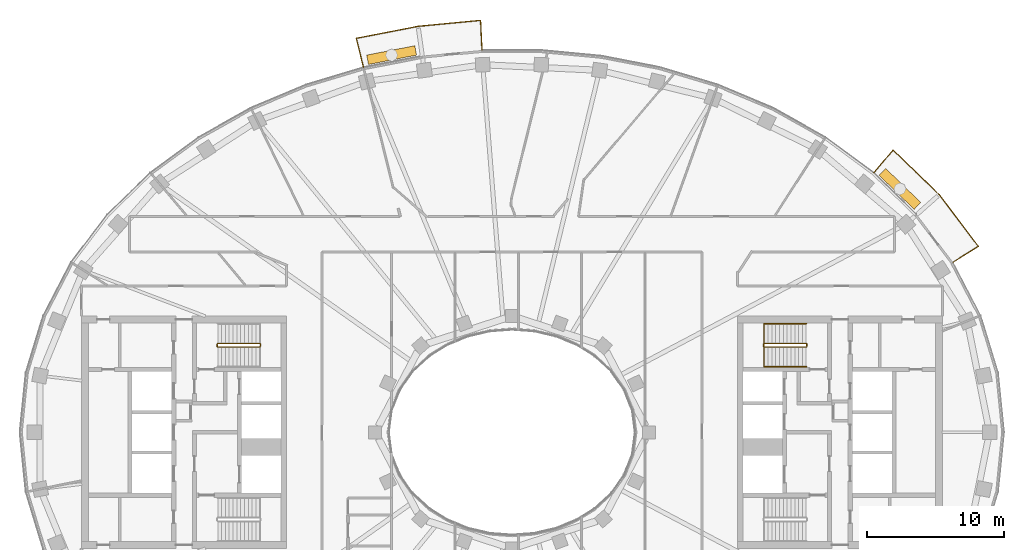
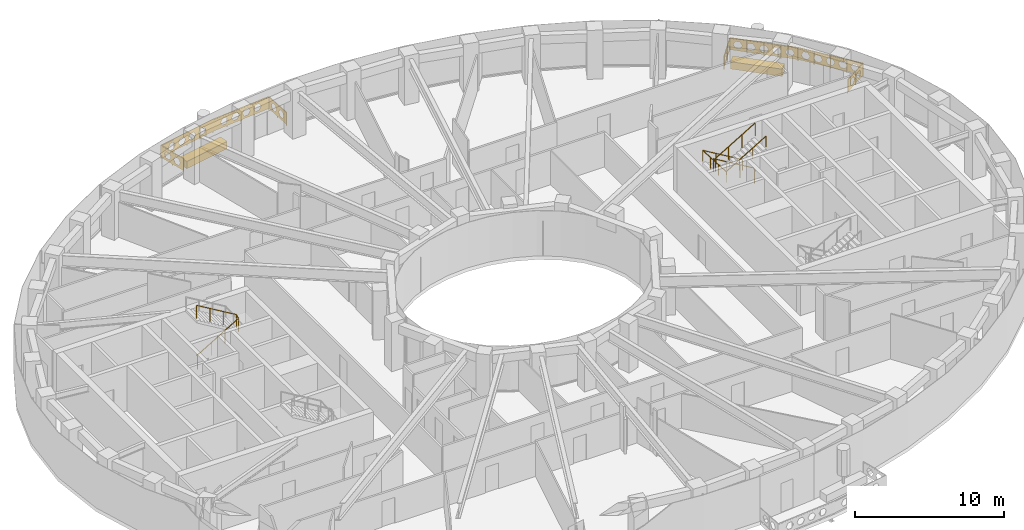
# One storey, part 16 of 17: 5 railings, 2 coverings.
"""IFC4 building model written with IfcOpenShell, lengths in metres."""

from ifc_helpers import new_model, si_unit, direction, frame, origin, origin_2d, place, context, subcontext, project, spatial, polyline, rectangle, outline, extrude, material, type_object, element, save


model = new_model("IFC4")

# Units and contexts
model_context = context("Model", 3, precision=1e-05, world=origin(), true_north=direction((0.0, 1.0)))
body_context = subcontext(model_context, "Body", "Model", "MODEL_VIEW")
ifc_project = project(units=[si_unit("LENGTHUNIT", "METRE"), si_unit("AREAUNIT", "SQUARE_METRE"), si_unit("VOLUMEUNIT", "CUBIC_METRE"), si_unit("PLANEANGLEUNIT", "RADIAN"), si_unit("MASSUNIT", "GRAM", prefix="KILO")], contexts=[model_context])

# Site, building, storey
site_placement = place(None, origin())
site = spatial("IfcSite", under=ifc_project, at=site_placement, CompositionType="ELEMENT")
building_placement = place(site_placement, origin())
building = spatial("IfcBuilding", under=site, at=building_placement, Name="Noorbagh Ring Tower", CompositionType="ELEMENT")
storey_placement = place(building_placement, frame((0.0, 0.0, 269.5)))
storey = spatial("IfcBuildingStorey", under=building, at=storey_placement, Name="L57", CompositionType="ELEMENT", Elevation=269.5)

# Railings
ifc_material_1 = material(Name="Stainless steel", Category="steel")
railing_type_1 = type_object("IfcRailingType", Name="CORE-STAIR-GUARD", PredefinedType="GUARDRAIL", material=ifc_material_1)
railing_1_placement = place(storey_placement, frame((-21.580078125, 6.300048828125, 0.0)))
element("IfcRailing", 1, at=railing_1_placement, inside=storey, type_object=railing_type_1, Name="L57 ST1 stair guard", PredefinedType="GUARDRAIL", context=body_context, shape_type="SweptSolid", body=[
    extrude(rectangle(XDim=0.048095703125, YDim=0.048095703125, at=origin_2d()), frame((0.0, 0.0, 1.076171875), z_axis=(0.0, 1.0, 0.0), x_axis=(-1.0, 0.0, 0.0)), (0.0, 0.0, 1.0), 0.14990234375),
    extrude(rectangle(XDim=0.048095703125, YDim=0.048095703125, at=origin_2d()), frame((0.0, 0.14990234375, 1.076171875), z_axis=(0.188775798145, -0.754182335027, 0.628945707965), x_axis=(0.970072785993, 0.242814311512, 0.0)), (0.0, 0.0, 1.0), 0.26513671875),
    extrude(rectangle(XDim=0.048095703125, YDim=0.048095703125, at=origin_2d()), frame((0.050048828125, -0.050048828125, 1.24267578125), z_axis=(0.859308565015, 0.0, 0.511457515432), x_axis=(0.0, 1.0, 0.0)), (0.0, 0.0, 1.0), 3.58447265625),
    extrude(rectangle(XDim=0.048095703125, YDim=0.048095703125, at=origin_2d()), frame((3.130126953125, -0.050048828125, 3.076171875), z_axis=(0.707106781187, 0.707106781187, 0.0), x_axis=(-0.707106781187, 0.707106781187, 0.0)), (0.0, 0.0, 1.0), 0.07080078125),
    extrude(rectangle(XDim=0.048095703125, YDim=0.048095703125, at=origin_2d()), frame((3.18017578125, 0.0, 3.076171875), z_axis=(0.0, 1.0, 0.0), x_axis=(-1.0, 0.0, 0.0)), (0.0, 0.0, 1.0), 0.14990234375),
    extrude(rectangle(XDim=0.048095703125, YDim=0.048095703125, at=origin_2d()), frame((3.18017578125, 0.14990234375, 3.076171875), z_axis=(-0.27628659633, 0.27628659633, 0.920506074601), x_axis=(-0.707106781187, -0.707106781187, 0.0)), (0.0, 0.0, 1.0), 0.18115234375),
    extrude(rectangle(XDim=0.048095703125, YDim=0.048095703125, at=origin_2d()), frame((3.130126953125, 0.199951171875, 3.24267578125), z_axis=(-0.859308565015, 0.0, 0.511457515432), x_axis=(0.0, -1.0, 0.0)), (0.0, 0.0, 1.0), 3.58447265625),
    extrude(rectangle(XDim=0.0419921875, YDim=0.0419921875, at=origin_2d()), origin(), (0.0, 0.0, 1.0), 1.052001953125),
    extrude(rectangle(XDim=0.0419921875, YDim=0.0419921875, at=origin_2d()), frame((1.07666015625, -0.050048828125, 0.77783203125)), (0.0, 0.0, 1.0), 1.052001953125),
    extrude(rectangle(XDim=0.0419921875, YDim=0.0419921875, at=origin_2d()), frame((2.103515625, -0.050048828125, 1.388916015625)), (0.0, 0.0, 1.0), 1.052001953125),
    extrude(rectangle(XDim=0.0419921875, YDim=0.0419921875, at=origin_2d()), frame((3.130126953125, -0.050048828125, 2.0)), (0.0, 0.0, 1.0), 1.052001953125),
    extrude(rectangle(XDim=0.0419921875, YDim=0.0419921875, at=origin_2d()), frame((3.130126953125, 0.199951171875, 2.166748046875)), (0.0, 0.0, 1.0), 1.052001953125),
    extrude(rectangle(XDim=0.0419921875, YDim=0.0419921875, at=origin_2d()), frame((2.103515625, 0.199951171875, 2.77783203125)), (0.0, 0.0, 1.0), 1.052001953125),
    extrude(rectangle(XDim=0.0419921875, YDim=0.0419921875, at=origin_2d()), frame((1.07666015625, 0.199951171875, 3.388916015625)), (0.0, 0.0, 1.0), 1.052001953125),
    extrude(rectangle(XDim=0.0419921875, YDim=0.0419921875, at=origin_2d()), frame((0.050048828125, 0.199951171875, 4.0)), (0.0, 0.0, 1.0), 1.052001953125),
])
railing_2_placement = place(storey_placement, frame((21.580078125, 6.449951171875, 0.0)))
element("IfcRailing", 2, at=railing_2_placement, inside=storey, type_object=railing_type_1, Name="L57 ST3 stair guard", PredefinedType="GUARDRAIL", context=body_context, shape_type="SweptSolid", body=[
    extrude(rectangle(XDim=0.048095703125, YDim=0.048095703125, at=origin_2d()), frame((0.0, 0.0, 1.076171875), z_axis=(0.0, -1.0, 0.0), x_axis=(1.0, 0.0, 0.0)), (0.0, 0.0, 1.0), 0.14990234375),
    extrude(rectangle(XDim=0.048095703125, YDim=0.048095703125, at=origin_2d()), frame((0.0, -0.14990234375, 1.076171875), z_axis=(-0.188775798145, 0.754182335027, 0.628945707965), x_axis=(-0.970072785993, -0.242814311512, 0.0)), (0.0, 0.0, 1.0), 0.26513671875),
    extrude(rectangle(XDim=0.048095703125, YDim=0.048095703125, at=origin_2d()), frame((-0.050048828125, 0.050048828125, 1.24267578125), z_axis=(-0.859308565015, 0.0, 0.511457515432), x_axis=(0.0, -1.0, 0.0)), (0.0, 0.0, 1.0), 3.58447265625),
    extrude(rectangle(XDim=0.048095703125, YDim=0.048095703125, at=origin_2d()), frame((-3.130126953125, 0.050048828125, 3.076171875), z_axis=(-0.707106781187, -0.707106781187, 0.0), x_axis=(0.707106781187, -0.707106781187, 0.0)), (0.0, 0.0, 1.0), 0.07080078125),
    extrude(rectangle(XDim=0.048095703125, YDim=0.048095703125, at=origin_2d()), frame((-3.18017578125, 0.0, 3.076171875), z_axis=(0.0, -1.0, 0.0), x_axis=(1.0, 0.0, 0.0)), (0.0, 0.0, 1.0), 0.14990234375),
    extrude(rectangle(XDim=0.048095703125, YDim=0.048095703125, at=origin_2d()), frame((-3.18017578125, -0.14990234375, 3.076171875), z_axis=(0.27628659633, -0.27628659633, 0.920506074601), x_axis=(0.707106781187, 0.707106781187, 0.0)), (0.0, 0.0, 1.0), 0.18115234375),
    extrude(rectangle(XDim=0.048095703125, YDim=0.048095703125, at=origin_2d()), frame((-3.130126953125, -0.199951171875, 3.24267578125), z_axis=(0.859308565015, 0.0, 0.511457515432), x_axis=(0.0, 1.0, 0.0)), (0.0, 0.0, 1.0), 3.58447265625),
    extrude(rectangle(XDim=0.0419921875, YDim=0.0419921875, at=origin_2d()), origin(), (0.0, 0.0, 1.0), 1.052001953125),
    extrude(rectangle(XDim=0.0419921875, YDim=0.0419921875, at=origin_2d()), frame((-1.07666015625, 0.050048828125, 0.77783203125)), (0.0, 0.0, 1.0), 1.052001953125),
    extrude(rectangle(XDim=0.0419921875, YDim=0.0419921875, at=origin_2d()), frame((-2.103515625, 0.050048828125, 1.388916015625)), (0.0, 0.0, 1.0), 1.052001953125),
    extrude(rectangle(XDim=0.0419921875, YDim=0.0419921875, at=origin_2d()), frame((-3.130126953125, 0.050048828125, 2.0)), (0.0, 0.0, 1.0), 1.052001953125),
    extrude(rectangle(XDim=0.0419921875, YDim=0.0419921875, at=origin_2d()), frame((-3.130126953125, -0.199951171875, 2.166748046875)), (0.0, 0.0, 1.0), 1.052001953125),
    extrude(rectangle(XDim=0.0419921875, YDim=0.0419921875, at=origin_2d()), frame((-2.103515625, -0.199951171875, 2.77783203125)), (0.0, 0.0, 1.0), 1.052001953125),
    extrude(rectangle(XDim=0.0419921875, YDim=0.0419921875, at=origin_2d()), frame((-1.07666015625, -0.199951171875, 3.388916015625)), (0.0, 0.0, 1.0), 1.052001953125),
    extrude(rectangle(XDim=0.0419921875, YDim=0.0419921875, at=origin_2d()), frame((-0.050048828125, -0.199951171875, 4.0)), (0.0, 0.0, 1.0), 1.052001953125),
])
ifc_material_2 = material(Name="Stainless steel", Category="steel")
railing_type_2 = type_object("IfcRailingType", Name="CORE-STAIR-HANDRAIL", PredefinedType="HANDRAIL", material=ifc_material_2)
railing_3_placement = place(storey_placement, frame((21.530029296875, 7.949951171875, 0.166748046875)))
element("IfcRailing", 3, at=railing_3_placement, inside=storey, type_object=railing_type_2, Name="L57 ST3 stair handrail", PredefinedType="HANDRAIL", context=body_context, shape_type="SweptSolid", body=[
    extrude(rectangle(XDim=0.048095703125, YDim=0.048095703125, at=origin_2d()), frame((0.0, 0.0, 0.8759765625), z_axis=(-0.859308565015, 0.0, 0.511457515432), x_axis=(0.0, -1.0, 0.0)), (0.0, 0.0, 1.0), 3.58447265625),
    extrude(rectangle(XDim=0.048095703125, YDim=0.048095703125, at=origin_2d()), frame((-3.080078125, 0.0, 2.708984375), z_axis=(0.0, -0.998601747152, 0.052863509014), x_axis=(1.0, 0.0, 0.0)), (0.0, 0.0, 1.0), 3.154296875),
    extrude(rectangle(XDim=0.048095703125, YDim=0.048095703125, at=origin_2d()), frame((-3.080078125, -3.14990234375, 2.8759765625), z_axis=(0.859308565015, 0.0, 0.511457515432), x_axis=(0.0, 1.0, 0.0)), (0.0, 0.0, 1.0), 3.58447265625),
    extrude(rectangle(XDim=0.0419921875, YDim=0.0419921875, at=origin_2d()), origin(), (0.0, 0.0, 1.0), 0.851806640625),
    extrude(rectangle(XDim=0.0419921875, YDim=0.0419921875, at=origin_2d()), frame((-1.026611328125, 0.0, 0.611083984375)), (0.0, 0.0, 1.0), 0.851806640625),
    extrude(rectangle(XDim=0.0419921875, YDim=0.0419921875, at=origin_2d()), frame((-2.053466796875, 0.0, 1.22216796875)), (0.0, 0.0, 1.0), 0.851806640625),
    extrude(rectangle(XDim=0.0419921875, YDim=0.0419921875, at=origin_2d()), frame((-3.080078125, 0.0, 1.833251953125)), (0.0, 0.0, 1.0), 0.851806640625),
    extrude(rectangle(XDim=0.0419921875, YDim=0.0419921875, at=origin_2d()), frame((-3.080078125, -1.050048828125, 1.888916015625)), (0.0, 0.0, 1.0), 0.851806640625),
    extrude(rectangle(XDim=0.0419921875, YDim=0.0419921875, at=origin_2d()), frame((-3.080078125, -2.099853515625, 1.9443359375)), (0.0, 0.0, 1.0), 0.851806640625),
    extrude(rectangle(XDim=0.0419921875, YDim=0.0419921875, at=origin_2d()), frame((-3.080078125, -3.14990234375, 2.0)), (0.0, 0.0, 1.0), 0.851806640625),
    extrude(rectangle(XDim=0.0419921875, YDim=0.0419921875, at=origin_2d()), frame((-2.053466796875, -3.14990234375, 2.611083984375)), (0.0, 0.0, 1.0), 0.851806640625),
    extrude(rectangle(XDim=0.0419921875, YDim=0.0419921875, at=origin_2d()), frame((-1.026611328125, -3.14990234375, 3.22216796875)), (0.0, 0.0, 1.0), 0.851806640625),
    extrude(rectangle(XDim=0.0419921875, YDim=0.0419921875, at=origin_2d()), frame((0.0, -3.14990234375, 3.833251953125)), (0.0, 0.0, 1.0), 0.851806640625),
])
ifc_material_3 = material(Name="Steel S275 black powder-coated", Category="steel")
railing_type_3 = type_object("IfcRailingType", Name="ENV-GUARD", PredefinedType="GUARDRAIL", material=ifc_material_3)
railing_4_placement = place(storey_placement, frame((32.255126953125, 12.434814453125, 0.0)))
element("IfcRailing", 4, at=railing_4_placement, inside=storey, type_object=railing_type_3, Name="Balcony guard BN01", PredefinedType="GUARDRAIL", context=body_context, shape_type="SweptSolid", body=[
    extrude(rectangle(XDim=0.048095703125, YDim=0.048095703125, at=origin_2d()), frame((0.0, 0.0, 1.076171875), z_axis=(0.844852397829, 0.534999463442, 0.0), x_axis=(-0.534999463442, 0.844852397829, 0.0)), (0.0, 0.0, 1.0), 2.207763671875),
    extrude(rectangle(XDim=0.048095703125, YDim=0.048095703125, at=origin_2d()), frame((1.865234375, 1.18115234375, 1.076171875), z_axis=(-0.604001613322, 0.796983093362, 0.0), x_axis=(-0.796983093362, -0.604001613322, 0.0)), (0.0, 0.0, 1.0), 4.7353515625),
    extrude(rectangle(XDim=0.048095703125, YDim=0.048095703125, at=origin_2d()), frame((-0.994873046875, 4.955078125, 1.076171875), z_axis=(-0.717212632946, 0.696854388766, 0.0), x_axis=(-0.696854388766, -0.717212632946, 0.0)), (0.0, 0.0, 1.0), 4.700927734375),
    extrude(rectangle(XDim=0.048095703125, YDim=0.048095703125, at=origin_2d()), frame((-4.366455078125, 8.23095703125, 1.076171875), z_axis=(-0.646413574048, -0.762987215677, 0.0), x_axis=(0.762987215677, -0.646413574048, 0.0)), (0.0, 0.0, 1.0), 2.205322265625),
    extrude(rectangle(XDim=0.0419921875, YDim=0.0419921875, at=origin_2d()), origin(), (0.0, 0.0, 1.0), 1.052001953125),
    extrude(rectangle(XDim=0.0419921875, YDim=0.0419921875, at=origin_2d()), frame((0.9326171875, 0.590576171875, 0.0)), (0.0, 0.0, 1.0), 1.052001953125),
    extrude(rectangle(XDim=0.0419921875, YDim=0.0419921875, at=origin_2d()), frame((1.865234375, 1.18115234375, 0.0)), (0.0, 0.0, 1.0), 1.052001953125),
    extrude(rectangle(XDim=0.0419921875, YDim=0.0419921875, at=origin_2d()), frame((1.150146484375, 2.12451171875, 0.0)), (0.0, 0.0, 1.0), 1.052001953125),
    extrude(rectangle(XDim=0.0419921875, YDim=0.0419921875, at=origin_2d()), frame((0.43505859375, 3.068115234375, 0.0)), (0.0, 0.0, 1.0), 1.052001953125),
    extrude(rectangle(XDim=0.0419921875, YDim=0.0419921875, at=origin_2d()), frame((-0.27978515625, 4.01171875, 0.0)), (0.0, 0.0, 1.0), 1.052001953125),
    extrude(rectangle(XDim=0.0419921875, YDim=0.0419921875, at=origin_2d()), frame((-0.994873046875, 4.955078125, 0.0)), (0.0, 0.0, 1.0), 1.052001953125),
    extrude(rectangle(XDim=0.0419921875, YDim=0.0419921875, at=origin_2d()), frame((-1.837890625, 5.77392578125, 0.0)), (0.0, 0.0, 1.0), 1.052001953125),
    extrude(rectangle(XDim=0.0419921875, YDim=0.0419921875, at=origin_2d()), frame((-2.6806640625, 6.593017578125, 0.0)), (0.0, 0.0, 1.0), 1.052001953125),
    extrude(rectangle(XDim=0.0419921875, YDim=0.0419921875, at=origin_2d()), frame((-3.5234375, 7.412109375, 0.0)), (0.0, 0.0, 1.0), 1.052001953125),
    extrude(rectangle(XDim=0.0419921875, YDim=0.0419921875, at=origin_2d()), frame((-4.366455078125, 8.23095703125, 0.0)), (0.0, 0.0, 1.0), 1.052001953125),
    extrude(rectangle(XDim=0.0419921875, YDim=0.0419921875, at=origin_2d()), frame((-5.0791015625, 7.3896484375, 0.0)), (0.0, 0.0, 1.0), 1.052001953125),
    extrude(rectangle(XDim=0.0419921875, YDim=0.0419921875, at=origin_2d()), frame((-5.7919921875, 6.54833984375, 0.0)), (0.0, 0.0, 1.0), 1.052001953125),
    extrude(outline(polyline([(0.0, 0.10009765625), (2.207763671875, 0.10009765625), (2.207763671875, 1.031982421875), (0.0, 1.031982421875), (0.0, 0.10009765625)]), holes=[polyline([(0.9638671875, 0.56591796875), (0.808837890625, 0.83447265625), (0.498779296875, 0.83447265625), (0.343994140625, 0.56591796875), (0.498779296875, 0.297607421875), (0.808837890625, 0.297607421875), (0.9638671875, 0.56591796875)]), polyline([(1.86376953125, 0.56591796875), (1.708984375, 0.83447265625), (1.39892578125, 0.83447265625), (1.243896484375, 0.56591796875), (1.39892578125, 0.297607421875), (1.708984375, 0.297607421875), (1.86376953125, 0.56591796875)])]), frame((-0.00537109375, 0.008544921875, 0.0), z_axis=(0.534999463442, -0.844852397829, 0.0), x_axis=(0.844852397829, 0.534999463442, 0.0)), (0.0, 0.0, 1.0), 0.02001953125),
    extrude(outline(polyline([(0.0, 0.10009765625), (4.7353515625, 0.10009765625), (4.7353515625, 1.031982421875), (0.0, 1.031982421875), (0.0, 0.10009765625)]), holes=[polyline([(0.877685546875, 0.56591796875), (0.72265625, 0.83447265625), (0.41259765625, 0.83447265625), (0.257568359375, 0.56591796875), (0.41259765625, 0.297607421875), (0.72265625, 0.297607421875), (0.877685546875, 0.56591796875)]), polyline([(1.777587890625, 0.56591796875), (1.62255859375, 0.83447265625), (1.312744140625, 0.83447265625), (1.15771484375, 0.56591796875), (1.312744140625, 0.297607421875), (1.62255859375, 0.297607421875), (1.777587890625, 0.56591796875)]), polyline([(2.677734375, 0.56591796875), (2.522705078125, 0.83447265625), (2.212646484375, 0.83447265625), (2.0576171875, 0.56591796875), (2.212646484375, 0.297607421875), (2.522705078125, 0.297607421875), (2.677734375, 0.56591796875)]), polyline([(3.57763671875, 0.56591796875), (3.422607421875, 0.83447265625), (3.112548828125, 0.83447265625), (2.95751953125, 0.56591796875), (3.112548828125, 0.297607421875), (3.422607421875, 0.297607421875), (3.57763671875, 0.56591796875)]), polyline([(4.4775390625, 0.56591796875), (4.32275390625, 0.83447265625), (4.0126953125, 0.83447265625), (3.857666015625, 0.56591796875), (4.0126953125, 0.297607421875), (4.32275390625, 0.297607421875), (4.4775390625, 0.56591796875)])]), frame((1.857177734375, 1.175048828125, 0.0), z_axis=(0.796983093362, 0.604001613322, 0.0), x_axis=(-0.604001613322, 0.796983093362, 0.0)), (0.0, 0.0, 1.0), 0.02001953125),
    extrude(outline(polyline([(0.0, 0.10009765625), (4.700927734375, 0.10009765625), (4.700927734375, 1.031982421875), (0.0, 1.031982421875), (0.0, 0.10009765625)]), holes=[polyline([(0.860595703125, 0.56591796875), (0.70556640625, 0.83447265625), (0.3955078125, 0.83447265625), (0.240478515625, 0.56591796875), (0.3955078125, 0.297607421875), (0.70556640625, 0.297607421875), (0.860595703125, 0.56591796875)]), polyline([(1.760498046875, 0.56591796875), (1.60546875, 0.83447265625), (1.29541015625, 0.83447265625), (1.140380859375, 0.56591796875), (1.29541015625, 0.297607421875), (1.60546875, 0.297607421875), (1.760498046875, 0.56591796875)]), polyline([(2.660400390625, 0.56591796875), (2.50537109375, 0.83447265625), (2.195556640625, 0.83447265625), (2.04052734375, 0.56591796875), (2.195556640625, 0.297607421875), (2.50537109375, 0.297607421875), (2.660400390625, 0.56591796875)]), polyline([(3.560546875, 0.56591796875), (3.405517578125, 0.83447265625), (3.095458984375, 0.83447265625), (2.9404296875, 0.56591796875), (3.095458984375, 0.297607421875), (3.405517578125, 0.297607421875), (3.560546875, 0.56591796875)]), polyline([(4.46044921875, 0.56591796875), (4.305419921875, 0.83447265625), (3.995361328125, 0.83447265625), (3.840576171875, 0.56591796875), (3.995361328125, 0.297607421875), (4.305419921875, 0.297607421875), (4.46044921875, 0.56591796875)])]), frame((-1.001953125, 4.947998046875, 0.0), z_axis=(0.696854388766, 0.717212632946, 0.0), x_axis=(-0.717212632946, 0.696854388766, 0.0)), (0.0, 0.0, 1.0), 0.02001953125),
    extrude(outline(polyline([(0.0, 0.10009765625), (2.205322265625, 0.10009765625), (2.205322265625, 1.031982421875), (0.0, 1.031982421875), (0.0, 0.10009765625)]), holes=[polyline([(0.962646484375, 0.56591796875), (0.8076171875, 0.83447265625), (0.49755859375, 0.83447265625), (0.342529296875, 0.56591796875), (0.49755859375, 0.297607421875), (0.8076171875, 0.297607421875), (0.962646484375, 0.56591796875)]), polyline([(1.862548828125, 0.56591796875), (1.707763671875, 0.83447265625), (1.397705078125, 0.83447265625), (1.24267578125, 0.56591796875), (1.397705078125, 0.297607421875), (1.707763671875, 0.297607421875), (1.862548828125, 0.56591796875)])]), frame((-4.35888671875, 8.224609375, 0.0), z_axis=(-0.762987215677, 0.646413574048, 0.0), x_axis=(-0.646413574048, -0.762987215677, 0.0)), (0.0, 0.0, 1.0), 0.02001953125),
])
railing_5_placement = place(storey_placement, frame((-2.193115234375, 27.947998046875, 0.0)))
element("IfcRailing", 5, at=railing_5_placement, inside=storey, type_object=railing_type_3, Name="Balcony guard BN04", PredefinedType="GUARDRAIL", context=body_context, shape_type="SweptSolid", body=[
    extrude(rectangle(XDim=0.048095703125, YDim=0.048095703125, at=origin_2d()), frame((0.0, 0.0, 1.076171875), z_axis=(-0.047554616162, 0.998868639252, 0.0), x_axis=(-0.998868639252, -0.047554616162, 0.0)), (0.0, 0.0, 1.0), 2.202392578125),
    extrude(rectangle(XDim=0.048095703125, YDim=0.048095703125, at=origin_2d()), frame((-0.104736328125, 2.199951171875, 1.076171875), z_axis=(-0.995477555764, -0.094997031379, 0.0), x_axis=(0.094997031379, -0.995477555764, 0.0)), (0.0, 0.0, 1.0), 4.59765625),
    extrude(rectangle(XDim=0.048095703125, YDim=0.048095703125, at=origin_2d()), frame((-4.681640625, 1.76318359375, 1.076171875), z_axis=(-0.981625049064, -0.1908199755, 0.0), x_axis=(0.1908199755, -0.981625049064, 0.0)), (0.0, 0.0, 1.0), 4.603271484375),
    extrude(rectangle(XDim=0.048095703125, YDim=0.048095703125, at=origin_2d()), frame((-9.200439453125, 0.884765625, 1.076171875), z_axis=(0.239848558412, -0.970810315679, 0.0), x_axis=(0.970810315679, 0.239848558412, 0.0)), (0.0, 0.0, 1.0), 2.20263671875),
    extrude(rectangle(XDim=0.0419921875, YDim=0.0419921875, at=origin_2d()), origin(), (0.0, 0.0, 1.0), 1.052001953125),
    extrude(rectangle(XDim=0.0419921875, YDim=0.0419921875, at=origin_2d()), frame((-0.05224609375, 1.10009765625, 0.0)), (0.0, 0.0, 1.0), 1.052001953125),
    extrude(rectangle(XDim=0.0419921875, YDim=0.0419921875, at=origin_2d()), frame((-0.104736328125, 2.199951171875, 0.0)), (0.0, 0.0, 1.0), 1.052001953125),
    extrude(rectangle(XDim=0.0419921875, YDim=0.0419921875, at=origin_2d()), frame((-1.2490234375, 2.0908203125, 0.0)), (0.0, 0.0, 1.0), 1.052001953125),
    extrude(rectangle(XDim=0.0419921875, YDim=0.0419921875, at=origin_2d()), frame((-2.39306640625, 1.9814453125, 0.0)), (0.0, 0.0, 1.0), 1.052001953125),
    extrude(rectangle(XDim=0.0419921875, YDim=0.0419921875, at=origin_2d()), frame((-3.537353515625, 1.872314453125, 0.0)), (0.0, 0.0, 1.0), 1.052001953125),
    extrude(rectangle(XDim=0.0419921875, YDim=0.0419921875, at=origin_2d()), frame((-4.681640625, 1.76318359375, 0.0)), (0.0, 0.0, 1.0), 1.052001953125),
    extrude(rectangle(XDim=0.0419921875, YDim=0.0419921875, at=origin_2d()), frame((-5.811279296875, 1.54345703125, 0.0)), (0.0, 0.0, 1.0), 1.052001953125),
    extrude(rectangle(XDim=0.0419921875, YDim=0.0419921875, at=origin_2d()), frame((-6.94091796875, 1.323974609375, 0.0)), (0.0, 0.0, 1.0), 1.052001953125),
    extrude(rectangle(XDim=0.0419921875, YDim=0.0419921875, at=origin_2d()), frame((-8.07080078125, 1.1044921875, 0.0)), (0.0, 0.0, 1.0), 1.052001953125),
    extrude(rectangle(XDim=0.0419921875, YDim=0.0419921875, at=origin_2d()), frame((-9.200439453125, 0.884765625, 0.0)), (0.0, 0.0, 1.0), 1.052001953125),
    extrude(rectangle(XDim=0.0419921875, YDim=0.0419921875, at=origin_2d()), frame((-8.936279296875, -0.1845703125, 0.0)), (0.0, 0.0, 1.0), 1.052001953125),
    extrude(rectangle(XDim=0.0419921875, YDim=0.0419921875, at=origin_2d()), frame((-8.672119140625, -1.253662109375, 0.0)), (0.0, 0.0, 1.0), 1.052001953125),
    extrude(outline(polyline([(0.0, 0.10009765625), (2.202392578125, 0.10009765625), (2.202392578125, 1.031982421875), (0.0, 1.031982421875), (0.0, 0.10009765625)]), holes=[polyline([(0.961181640625, 0.56591796875), (0.80615234375, 0.83447265625), (0.496337890625, 0.83447265625), (0.34130859375, 0.56591796875), (0.496337890625, 0.297607421875), (0.80615234375, 0.297607421875), (0.961181640625, 0.56591796875)]), polyline([(1.861328125, 0.56591796875), (1.706298828125, 0.83447265625), (1.396240234375, 0.83447265625), (1.2412109375, 0.56591796875), (1.396240234375, 0.297607421875), (1.706298828125, 0.297607421875), (1.861328125, 0.56591796875)])]), frame((-0.010009765625, -0.00048828125, 0.0), z_axis=(0.998868639252, 0.047554616162, 0.0), x_axis=(-0.047554616162, 0.998868639252, 0.0)), (0.0, 0.0, 1.0), 0.02001953125),
    extrude(outline(polyline([(0.0, 0.10009765625), (4.59765625, 0.10009765625), (4.59765625, 1.031982421875), (0.0, 1.031982421875), (0.0, 0.10009765625)]), holes=[polyline([(1.2587890625, 0.56591796875), (1.103759765625, 0.83447265625), (0.7939453125, 0.83447265625), (0.638916015625, 0.56591796875), (0.7939453125, 0.297607421875), (1.103759765625, 0.297607421875), (1.2587890625, 0.56591796875)]), polyline([(2.158935546875, 0.56591796875), (2.00390625, 0.83447265625), (1.69384765625, 0.83447265625), (1.538818359375, 0.56591796875), (1.69384765625, 0.297607421875), (2.00390625, 0.297607421875), (2.158935546875, 0.56591796875)]), polyline([(3.058837890625, 0.56591796875), (2.90380859375, 0.83447265625), (2.59375, 0.83447265625), (2.43896484375, 0.56591796875), (2.59375, 0.297607421875), (2.90380859375, 0.297607421875), (3.058837890625, 0.56591796875)]), polyline([(3.958740234375, 0.56591796875), (3.803955078125, 0.83447265625), (3.493896484375, 0.83447265625), (3.3388671875, 0.56591796875), (3.493896484375, 0.297607421875), (3.803955078125, 0.297607421875), (3.958740234375, 0.56591796875)])]), frame((-0.103759765625, 2.18994140625, 0.0), z_axis=(-0.094997031379, 0.995477555764, 0.0), x_axis=(-0.995477555764, -0.094997031379, 0.0)), (0.0, 0.0, 1.0), 0.02001953125),
    extrude(outline(polyline([(0.0, 0.10009765625), (4.603271484375, 0.10009765625), (4.603271484375, 1.031982421875), (0.0, 1.031982421875), (0.0, 0.10009765625)]), holes=[polyline([(1.26171875, 0.56591796875), (1.106689453125, 0.83447265625), (0.796630859375, 0.83447265625), (0.6416015625, 0.56591796875), (0.796630859375, 0.297607421875), (1.106689453125, 0.297607421875), (1.26171875, 0.56591796875)]), polyline([(2.16162109375, 0.56591796875), (2.006591796875, 0.83447265625), (1.69677734375, 0.83447265625), (1.541748046875, 0.56591796875), (1.69677734375, 0.297607421875), (2.006591796875, 0.297607421875), (2.16162109375, 0.56591796875)]), polyline([(3.061767578125, 0.56591796875), (2.90673828125, 0.83447265625), (2.5966796875, 0.83447265625), (2.441650390625, 0.56591796875), (2.5966796875, 0.297607421875), (2.90673828125, 0.297607421875), (3.061767578125, 0.56591796875)]), polyline([(3.961669921875, 0.56591796875), (3.806640625, 0.83447265625), (3.49658203125, 0.83447265625), (3.341796875, 0.56591796875), (3.49658203125, 0.297607421875), (3.806640625, 0.297607421875), (3.961669921875, 0.56591796875)])]), frame((-4.6796875, 1.75341796875, 0.0), z_axis=(-0.1908199755, 0.981625049064, 0.0), x_axis=(-0.981625049064, -0.1908199755, 0.0)), (0.0, 0.0, 1.0), 0.02001953125),
    extrude(outline(polyline([(0.0, 0.10009765625), (2.20263671875, 0.10009765625), (2.20263671875, 1.031982421875), (0.0, 1.031982421875), (0.0, 0.10009765625)]), holes=[polyline([(0.96142578125, 0.56591796875), (0.806396484375, 0.83447265625), (0.496337890625, 0.83447265625), (0.34130859375, 0.56591796875), (0.496337890625, 0.297607421875), (0.806396484375, 0.297607421875), (0.96142578125, 0.56591796875)]), polyline([(1.861328125, 0.56591796875), (1.706298828125, 0.83447265625), (1.396240234375, 0.83447265625), (1.241455078125, 0.56591796875), (1.396240234375, 0.297607421875), (1.706298828125, 0.297607421875), (1.861328125, 0.56591796875)])]), frame((-9.190673828125, 0.88720703125, 0.0), z_axis=(-0.970810315679, -0.239848558412, 0.0), x_axis=(0.239848558412, -0.970810315679, 0.0)), (0.0, 0.0, 1.0), 0.02001953125),
])

# Coverings
ifc_material_4 = material(Name="Concrete C30/37 planter with soil", Category="concrete")
covering_type = type_object("IfcCoveringType", Name="ENV-PLANTER", PredefinedType="CLADDING", material=ifc_material_4)
covering_1_placement = place(storey_placement, frame((28.3837890625, 17.814208984375, 0.0), z_axis=(0.0, 0.0, 1.0), x_axis=(-0.717224548362, 0.696842125038, 0.0)))
element("IfcCovering", 6, at=covering_1_placement, inside=storey, type_object=covering_type, Name="PLANTER BN01", ObjectType="PLANTER", PredefinedType="CLADDING", context=body_context, shape_type="SweptSolid", body=[
    extrude(rectangle(XDim=3.584228515625, YDim=0.699951171875, at=origin_2d()), origin(), (0.0, 0.0, 1.0), 0.60009765625),
])
covering_2_placement = place(storey_placement, frame((-8.807861328125, 27.603515625, 0.0), z_axis=(0.0, 0.0, 1.0), x_axis=(-0.981624952922, -0.190820470077, 0.0)))
element("IfcCovering", 7, at=covering_2_placement, inside=storey, type_object=covering_type, Name="PLANTER BN04", ObjectType="PLANTER", PredefinedType="CLADDING", context=body_context, shape_type="SweptSolid", body=[
    extrude(rectangle(XDim=3.586181640625, YDim=0.699951171875, at=origin_2d()), origin(), (0.0, 0.0, 1.0), 0.60009765625),
])

save(model, "model.ifc")
